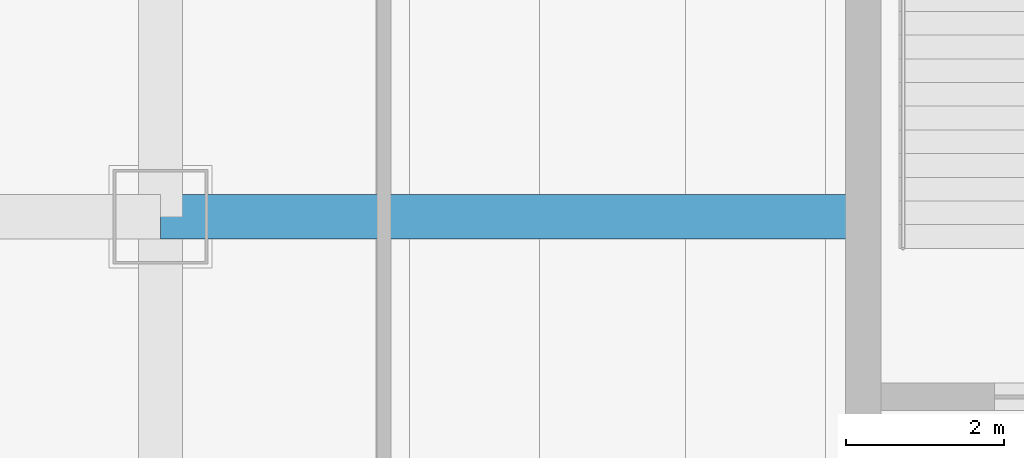
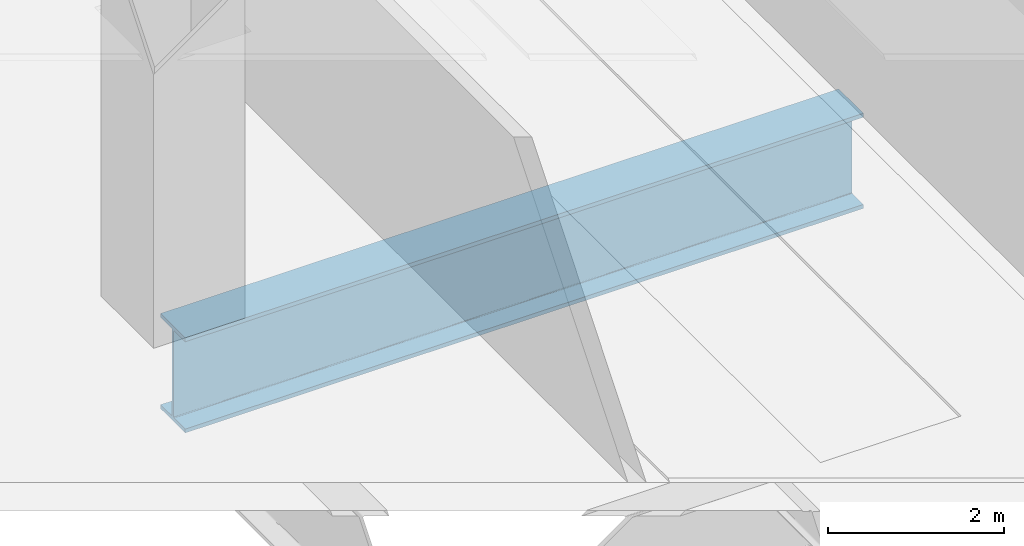
# One storey, part 13 of 44: 1 beam.
"""IFC4 building model written with IfcOpenShell, lengths in metres."""

import ifcopenshell
import ifcopenshell.guid

model = None  # the IFC model being written
_history = None  # IfcOwnerHistory: only IFC2X3 demands one
_inside = {}  # id of a spatial element -> (the spatial element, [elements in it])
_under = {}  # id of a project, library or spatial element -> (it, [spatial elements below it])
_declared = {}  # id of a project -> (the project, [libraries it declares])
_typed = {}  # id of a type object -> (the type object, [elements of that type])
_made_of = {}  # id of a material, layer set ... -> (it, [elements and type objects made of it])


def new_model(schema):
    """Start an empty IFC model of exactly this schema.

    Asked for "IFC4X3", IfcOpenShell would pick the latest addendum, in which some entities
    have other attributes; the version numbers below select the first issue.
    IFC2X3 requires an IfcOwnerHistory on every rooted entity: one is made here for all.
    """
    global model, _history
    if schema == "IFC4X3":
        model = ifcopenshell.file(schema_version=(4, 3, 0, 0))
    else:
        model = ifcopenshell.file(schema=schema)
    _inside.clear()
    _under.clear()
    _declared.clear()
    _typed.clear()
    _made_of.clear()
    _history = None
    if model.schema == "IFC2X3":
        org = make("IfcOrganization", Name="unknown")
        user = make(
            "IfcPersonAndOrganization",
            ThePerson=make("IfcPerson", FamilyName="unknown"),
            TheOrganization=org,
        )
        app = make(
            "IfcApplication",
            ApplicationDeveloper=org,
            Version="unknown",
            ApplicationFullName="unknown",
            ApplicationIdentifier="unknown",
        )
        _history = make(
            "IfcOwnerHistory",
            OwningUser=user,
            OwningApplication=app,
            ChangeAction="ADDED",
            CreationDate=0,
        )
    return model


def make(cls, **values):
    """One entity of the class cls with the attributes given. An attribute that is None is left unset."""
    return model.create_entity(
        cls, **{name: value for name, value in values.items() if value is not None}
    )


def rooted(cls, **values):
    """An entity with a GlobalId (a new one), such as an element, a storey or a relation."""
    return make(cls, GlobalId=ifcopenshell.guid.new(), OwnerHistory=_history, **values)


def si_unit(unit_type, name, prefix=None):
    """IfcSIUnit, for example si_unit("LENGTHUNIT", "METRE", prefix="MILLI")."""
    return make("IfcSIUnit", UnitType=unit_type, Prefix=prefix, Name=name)


def assignment(units):
    """IfcUnitAssignment: the units of a project."""
    return None if units is None else make("IfcUnitAssignment", Units=units)


def point(xyz):
    """IfcCartesianPoint."""
    return None if xyz is None else make("IfcCartesianPoint", Coordinates=xyz)


def direction(xyz):
    """IfcDirection."""
    return None if xyz is None else make("IfcDirection", DirectionRatios=xyz)


def frame(location, z_axis=None, x_axis=None):
    """IfcAxis2Placement3D, a coordinate frame: its origin and axes. An axis left out is left unset."""
    return make(
        "IfcAxis2Placement3D",
        Location=point(location),
        Axis=direction(z_axis),
        RefDirection=direction(x_axis),
    )


def frame_2d(location, x_axis=None):
    """IfcAxis2Placement2D, a coordinate frame in the plane: its origin and x axis."""
    return make(
        "IfcAxis2Placement2D", Location=point(location), RefDirection=direction(x_axis)
    )


def origin():
    """The frame at (0, 0, 0) with its axes left unset."""
    return frame((0.0, 0.0, 0.0))


def origin_2d():
    """The frame at (0, 0) in the plane with its x axis left unset."""
    return frame_2d((0.0, 0.0))


def place(relative_to, where):
    """IfcLocalPlacement: puts the frame where relative to a parent placement (None: the world)."""
    return make(
        "IfcLocalPlacement", PlacementRelTo=relative_to, RelativePlacement=where
    )


def context(
    kind, dimensions, precision=None, world=None, true_north=None, identifier=None
):
    """IfcGeometricRepresentationContext, for example the 3D "Model" context."""
    return make(
        "IfcGeometricRepresentationContext",
        ContextIdentifier=identifier,
        ContextType=kind,
        CoordinateSpaceDimension=dimensions,
        Precision=precision,
        WorldCoordinateSystem=world,
        TrueNorth=true_north,
    )


def subcontext(parent, identifier, kind, view, scale=None):
    """IfcGeometricRepresentationSubContext, for example "Body" below "Model"."""
    return make(
        "IfcGeometricRepresentationSubContext",
        ContextIdentifier=identifier,
        ContextType=kind,
        ParentContext=parent,
        TargetScale=scale,
        TargetView=view,
    )


def project(units=None, contexts=None):
    """IfcProject with its units and contexts."""
    return rooted(
        "IfcProject",
        Name="project",
        RepresentationContexts=contexts,
        UnitsInContext=assignment(units),
    )


def spatial(cls, under=None, at=None, **own):
    """A site, building, storey or space (cls), placed at a placement, below another one or the project."""
    s = rooted(cls, ObjectPlacement=at, **own)
    if under is not None:
        _under.setdefault(under.id(), (under, []))[1].append(s)
    return s


def profile(cls, at=None, kind="AREA", **sizes):
    """A parametric profile (cls). Its sizes go by their IFC names, for example OverallWidth=200.0."""
    return make(cls, ProfileType=kind, Position=at, **sizes)


def i_section(**sizes):
    """IfcIShapeProfileDef."""
    return profile("IfcIShapeProfileDef", **sizes)


def extrude(swept, where, along, depth):
    """IfcExtrudedAreaSolid: the profile swept, set in the frame where, extruded along a direction by depth."""
    return make(
        "IfcExtrudedAreaSolid",
        SweptArea=swept,
        Position=where,
        ExtrudedDirection=direction(along),
        Depth=depth,
    )


def shape(context_of_items, identifier, shape_type, items):
    """IfcShapeRepresentation: the items that make up one representation, for example the "Body"."""
    return make(
        "IfcShapeRepresentation",
        ContextOfItems=context_of_items,
        RepresentationIdentifier=identifier,
        RepresentationType=shape_type,
        Items=items,
    )


def material(Name=None, Category=None):
    """IfcMaterial."""
    return make("IfcMaterial", Name=Name, Category=Category)


def material_profile(
    of_material, cross_section, Name=None, Category=None, Priority=None
):
    """IfcMaterialProfile: a cross section and its material."""
    return make(
        "IfcMaterialProfile",
        Name=Name,
        Material=of_material,
        Profile=cross_section,
        Priority=Priority,
        Category=Category,
    )


def profile_set(profiles, Name=None, composite=None):
    """IfcMaterialProfileSet."""
    return make(
        "IfcMaterialProfileSet",
        Name=Name,
        MaterialProfiles=profiles,
        CompositeProfile=composite,
    )


def made_of(thing, what):
    """Note that an element or type object is made of a material, layer set ...; save() writes the relation."""
    if what is not None:
        _made_of.setdefault(what.id(), (what, []))[1].append(thing)
    return thing


def type_object(cls, material=None, **own):
    """A type object (cls), such as IfcWallType, which elements share."""
    return made_of(rooted(cls, **own), material)


def element(
    cls,
    number,
    at=None,
    inside=None,
    cuts=None,
    type_object=None,
    material=None,
    context=None,
    identifier="Body",
    shape_type=None,
    held_by="IfcProductDefinitionShape",
    body=None,
    shapes=None,
    **own,
):
    """One element of the class cls, such as IfcWall. Its Tag is "e" and its number.

    at: its placement. inside: the storey or other place that contains it. cuts: it is an
    opening in that element (IfcRelVoidsElement). A single representation is given by context,
    identifier, shape_type and body (its items); several are given by shapes. held_by: the class
    of the entity that holds the representations. save() writes the other relations.
    """
    e = rooted(cls, Tag="e%d" % number, ObjectPlacement=at, **own)
    if body is not None:
        shapes = [shape(context, identifier, shape_type, body)]
    if shapes is not None:
        e.Representation = make(held_by, Representations=shapes)
    if inside is not None:
        _inside.setdefault(inside.id(), (inside, []))[1].append(e)
    if cuts is not None:
        rooted(
            "IfcRelVoidsElement", RelatingBuildingElement=cuts, RelatedOpeningElement=e
        )
    if type_object is not None:
        _typed.setdefault(type_object.id(), (type_object, []))[1].append(e)
    return made_of(e, material)


def aggregate(whole, parts):
    """IfcRelAggregates: a whole, such as a stair, and the parts it consists of."""
    return rooted("IfcRelAggregates", RelatingObject=whole, RelatedObjects=parts)


def save(model, path):
    """Write the relations noted so far, then the file.

    IfcRelAggregates (storeys below a building ...), IfcRelContainedInSpatialStructure (elements
    in a storey), IfcRelDefinesByType, IfcRelAssociatesMaterial and IfcRelDeclares: one each for
    every whole, place, type object, material and project.
    """
    for whole, parts in _under.values():
        aggregate(whole, parts)
    for where, things in _inside.values():
        rooted(
            "IfcRelContainedInSpatialStructure",
            RelatedElements=things,
            RelatingStructure=where,
        )
    for kind, things in _typed.values():
        rooted("IfcRelDefinesByType", RelatedObjects=things, RelatingType=kind)
    for what, things in _made_of.values():
        rooted("IfcRelAssociatesMaterial", RelatedObjects=things, RelatingMaterial=what)
    for by, libraries in _declared.values():
        rooted("IfcRelDeclares", RelatingContext=by, RelatedDefinitions=libraries)
    model.write(path)


model = new_model("IFC4")

# Units and contexts
model_context = context("Model", 3, precision=1e-05, world=origin(), true_north=direction((0.0, 1.0)))
body_context = subcontext(model_context, "Body", "Model", "MODEL_VIEW")
ifc_project = project(units=[si_unit("LENGTHUNIT", "METRE"), si_unit("AREAUNIT", "SQUARE_METRE"), si_unit("VOLUMEUNIT", "CUBIC_METRE"), si_unit("PLANEANGLEUNIT", "RADIAN"), si_unit("MASSUNIT", "GRAM", prefix="KILO")], contexts=[model_context])

# Site, building, storey
site_placement = place(None, origin())
site = spatial("IfcSite", under=ifc_project, at=site_placement, CompositionType="ELEMENT")
building_placement = place(site_placement, origin())
building = spatial("IfcBuilding", under=site, at=building_placement, Name="Punatoya Terracotta Tower", CompositionType="ELEMENT")
storey_placement = place(building_placement, frame((0.0, 0.0, 334.199951171875)))
storey = spatial("IfcBuildingStorey", under=building, at=storey_placement, Name="L79", CompositionType="ELEMENT", Elevation=334.199951171875)

# Beam
ifc_material = material(Name="Steel S460", Category="steel")
ifc_material_profile = material_profile(ifc_material, i_section(OverallWidth=0.56005859375, OverallDepth=1.320068359375, WebThickness=0.035888671875, FlangeThickness=0.054931640625, FilletRadius=0.01806640625, at=origin_2d()))
ifc_profile_set = profile_set([ifc_material_profile], Name="Steel S460")
beam_type = type_object("IfcBeamType", Name="BM-TG-BLK", PredefinedType="BEAM", material=ifc_profile_set)
beam_placement = place(storey_placement, frame((-19.10009765625, -3.39990234375, -0.919921875), z_axis=(1.0, 0.0, 0.0), x_axis=(0.0, 1.0, 0.0)))
element("IfcBeam", 1, at=beam_placement, inside=storey, type_object=beam_type, Name="BM-L79-PR-WD", PredefinedType="BEAM", context=body_context, shape_type="SweptSolid", body=[
    extrude(i_section(OverallWidth=0.56005859375, OverallDepth=1.320068359375, WebThickness=0.035888671875, FlangeThickness=0.054931640625, FilletRadius=0.01806640625, at=origin_2d()), origin(), (0.0, 0.0, 1.0), 8.900146484375),
])

save(model, "model.ifc")
